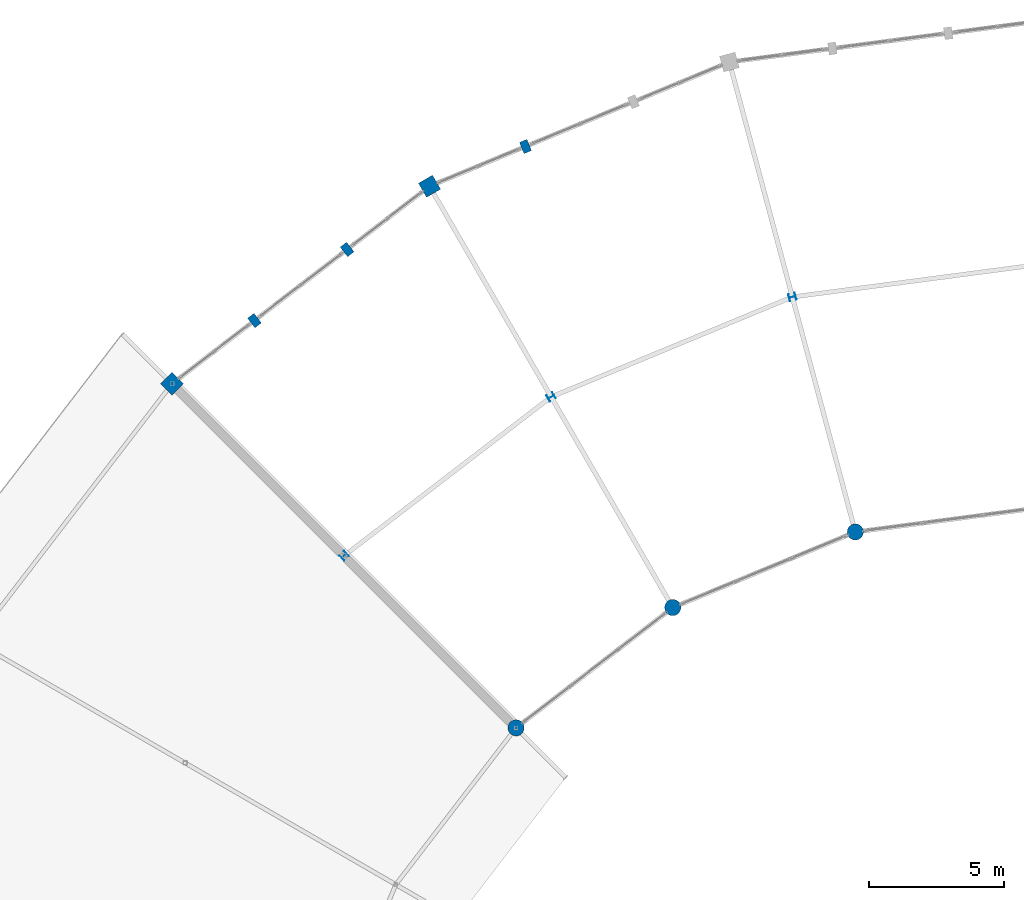
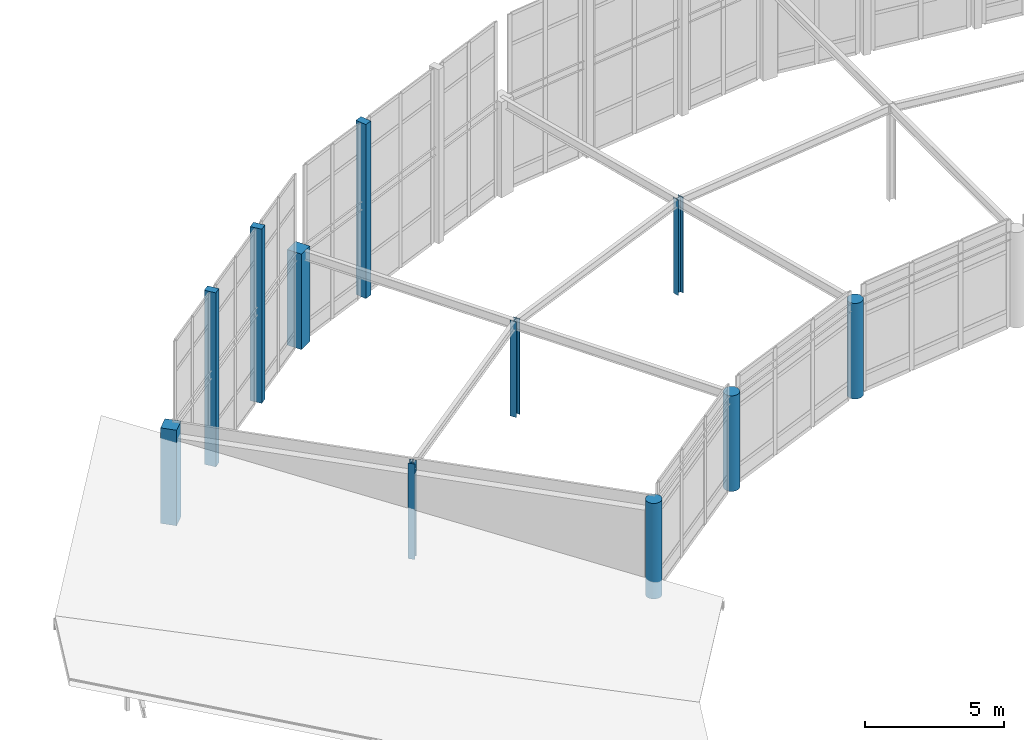
# One storey, part 4 of 93: 11 columns.
"""IFC4 building model written with IfcOpenShell, lengths in metres."""

from ifc_helpers import new_model, si_unit, direction, frame, origin, origin_2d, place, context, subcontext, project, spatial, rectangle, circle, i_section, extrude, material, material_profile, profile_set, type_object, element, save


model = new_model("IFC4")

# Units and contexts
model_context = context("Model", 3, precision=1e-05, world=origin(), true_north=direction((0.0, 1.0)))
body_context = subcontext(model_context, "Body", "Model", "MODEL_VIEW")
ifc_project = project(units=[si_unit("LENGTHUNIT", "METRE"), si_unit("AREAUNIT", "SQUARE_METRE"), si_unit("VOLUMEUNIT", "CUBIC_METRE"), si_unit("PLANEANGLEUNIT", "RADIAN"), si_unit("MASSUNIT", "GRAM", prefix="KILO")], contexts=[model_context])

# Site, building, storey
site_placement = place(None, origin())
site = spatial("IfcSite", under=ifc_project, at=site_placement, CompositionType="ELEMENT")
building_placement = place(site_placement, origin())
building = spatial("IfcBuilding", under=site, at=building_placement, Name="Vondelvale Polytechnic", CompositionType="ELEMENT")
storey_placement = place(building_placement, frame((0.0, 0.0, 18.0)))
storey = spatial("IfcBuildingStorey", under=building, at=storey_placement, Name="L04", CompositionType="ELEMENT", Elevation=18.0)

# Columns
ifc_material_1 = material(Name="Glulam GL18 structural Tasmanian oak (fb = 42 MPa)", Category="wood")
ifc_material_profile_1 = material_profile(ifc_material_1, rectangle(XDim=0.300048828125, YDim=0.449951171875, at=origin_2d()), Name="GL-POST-300x450")
ifc_profile_set_1 = profile_set([ifc_material_profile_1], Name="Glulam GL18 structural Tasmanian oak (fb = 42 MPa)")
column_type_1 = type_object("IfcColumnType", Name="COL-GLULAM-300x450", PredefinedType="PILASTER", material=ifc_profile_set_1)
for number, where, z_axis, x_axis, name in (
    (1, (82.55029296875, 113.3076171875, 0.0), (0.0, 0.0, 1.0), (0.923879532511, 0.382683432365, 0.0), "L04 ring outer glulam timber post C07-P2"),
    (2, (75.951416015625, 109.497802734375, 0.0), (0.0, 0.0, 1.0), (0.793353340291, 0.608761429009, 0.0), "L04 ring outer glulam timber post C08-P1"),
    (3, (72.521728515625, 106.8662109375, 0.0), (0.0, 0.0, 1.0), (0.793353340291, 0.608761429009, 0.0), "L04 ring outer glulam timber post C08-P2"),
):
    element("IfcColumn", number, at=place(storey_placement, frame(where, z_axis=z_axis, x_axis=x_axis)), inside=storey, type_object=column_type_1, Name=name, PredefinedType="PILASTER", context=body_context, shape_type="SweptSolid", body=[
        extrude(rectangle(XDim=0.300048828125, YDim=0.449951171875, at=origin_2d()), origin(), (0.0, 0.0, 1.0), 7.6513671875),
    ])
ifc_material_2 = material(Name="Concrete N50 (f'c = 50 MPa)", Category="concrete")
ifc_material_profile_2 = material_profile(ifc_material_2, rectangle(XDim=0.60009765625, YDim=0.60009765625, at=origin_2d()), Name="RC-COL-600x600")
ifc_profile_set_2 = profile_set([ifc_material_profile_2], Name="Concrete N50 (f'c = 50 MPa)")
column_type_2 = type_object("IfcColumnType", Name="COL-RC600", PredefinedType="COLUMN", material=ifc_profile_set_2)
for number, where, z_axis, x_axis, name in (
    (4, (79.0, 111.837158203125, 0.0), (0.0, 0.0, 1.0), (-0.5, 0.866025403784, 0.0), "L04 courtyard ring column S08-RO"),
    (5, (69.47314453125, 104.52685546875, 0.0), (0.0, 0.0, 1.0), (-0.707106781187, 0.707106781187, 0.0), "L04 courtyard ring column S09-RO"),
):
    element("IfcColumn", number, at=place(storey_placement, frame(where, z_axis=z_axis, x_axis=x_axis)), inside=storey, type_object=column_type_2, Name=name, PredefinedType="COLUMN", context=body_context, shape_type="SweptSolid", body=[
        extrude(rectangle(XDim=0.60009765625, YDim=0.60009765625, at=origin_2d()), origin(), (0.0, 0.0, 1.0), 4.199951171875),
    ])
ifc_material_profile_3 = material_profile(ifc_material_2, circle(Radius=0.300048828125, at=origin_2d()), Name="RC-COL-D600")
ifc_profile_set_3 = profile_set([ifc_material_profile_3], Name="Concrete N50 (f'c = 50 MPa)")
column_type_3 = type_object("IfcColumnType", Name="COL-RCD600", PredefinedType="COLUMN", material=ifc_profile_set_3)
for number, where, z_axis, x_axis, name in (
    (6, (94.753173828125, 99.0458984375, 0.0), (0.0, 0.0, 1.0), (-0.258819045103, 0.965925826289, 0.0), "L04 courtyard ring column S07-RI"),
    (7, (88.0, 96.248779296875, 0.0), (0.0, 0.0, 1.0), (-0.5, 0.866025403784, 0.0), "L04 courtyard ring column S08-RI"),
    (8, (82.200927734375, 91.799072265625, 0.0), (0.0, 0.0, 1.0), (-0.707106781187, 0.707106781187, 0.0), "L04 courtyard ring column S09-RI"),
):
    element("IfcColumn", number, at=place(storey_placement, frame(where, z_axis=z_axis, x_axis=x_axis)), inside=storey, type_object=column_type_3, Name=name, PredefinedType="COLUMN", context=body_context, shape_type="SweptSolid", body=[
        extrude(circle(Radius=0.300048828125, at=origin_2d()), origin(), (0.0, 0.0, 1.0), 4.199951171875),
    ])
ifc_material_3 = material(Name="Steel 300PLUS (fy = 300 MPa)", Category="steel")
ifc_material_profile_4 = material_profile(ifc_material_3, i_section(OverallWidth=0.25390625, OverallDepth=0.25390625, WebThickness=0.008544921875, FlangeThickness=0.01416015625, FilletRadius=0.013916015625, at=origin_2d()), Name="250UC72.9")
ifc_profile_set_4 = profile_set([ifc_material_profile_4], Name="Steel 300PLUS (fy = 300 MPa)")
column_type_4 = type_object("IfcColumnType", Name="COL-UC250L", PredefinedType="COLUMN", material=ifc_profile_set_4)
for number, where, z_axis, x_axis, name in (
    (9, (92.423583984375, 107.7392578125, 0.0), (0.0, 0.0, 1.0), (-0.258819045103, 0.965925826289, 0.0), "L04 courtyard ring column S07-RM"),
    (10, (83.5, 104.04296875, 0.0), (0.0, 0.0, 1.0), (-0.5, 0.866025403784, 0.0), "L04 courtyard ring column S08-RM"),
    (11, (75.8369140625, 98.1630859375, 0.0), (0.0, 0.0, 1.0), (-0.707106781187, 0.707106781187, 0.0), "L04 courtyard ring column S09-RM"),
):
    element("IfcColumn", number, at=place(storey_placement, frame(where, z_axis=z_axis, x_axis=x_axis)), inside=storey, type_object=column_type_4, Name=name, PredefinedType="COLUMN", context=body_context, shape_type="SweptSolid", body=[
        extrude(i_section(OverallWidth=0.25390625, OverallDepth=0.25390625, WebThickness=0.008544921875, FlangeThickness=0.01416015625, FilletRadius=0.013916015625, at=origin_2d()), origin(), (0.0, 0.0, 1.0), 4.199951171875),
    ])

save(model, "model.ifc")
